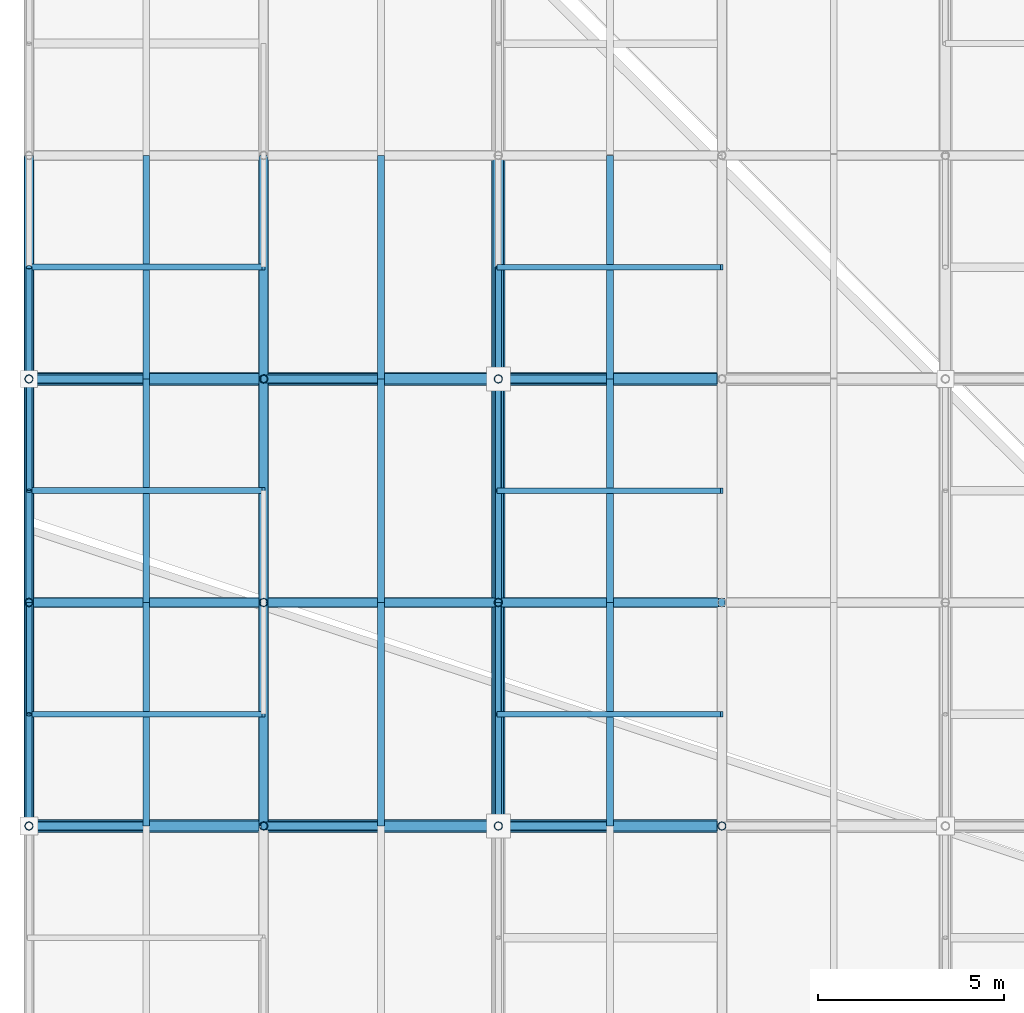
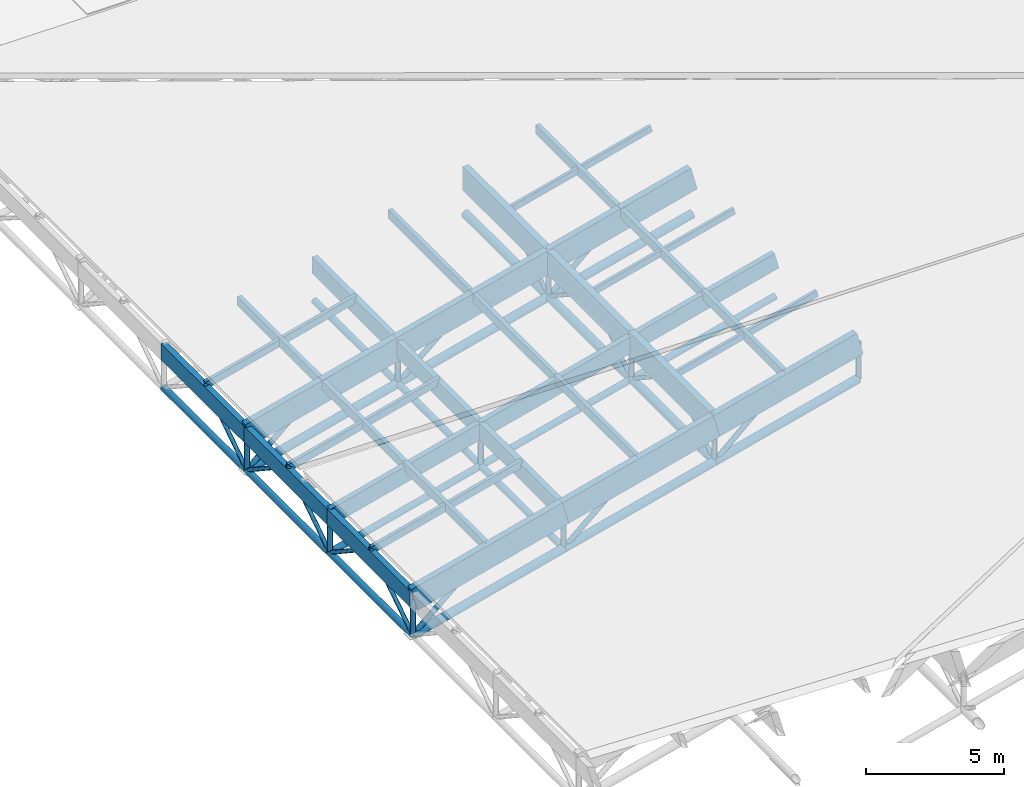
# One storey, part 17 of 80: 77 members.
"""IFC4 building model written with IfcOpenShell, lengths in metres."""

from ifc_helpers import new_model, si_unit, direction, frame, origin, origin_2d, place, context, subcontext, project, spatial, rectangle, hollow_circle, extrude, material, material_profile, profile_set, type_object, element, save


model = new_model("IFC4")

# Units and contexts
model_context = context("Model", 3, precision=1e-05, world=origin(), true_north=direction((0.0, 1.0)))
body_context = subcontext(model_context, "Body", "Model", "MODEL_VIEW")
ifc_project = project(units=[si_unit("LENGTHUNIT", "METRE"), si_unit("AREAUNIT", "SQUARE_METRE"), si_unit("VOLUMEUNIT", "CUBIC_METRE"), si_unit("PLANEANGLEUNIT", "RADIAN"), si_unit("MASSUNIT", "GRAM", prefix="KILO"), si_unit("THERMODYNAMICTEMPERATUREUNIT", "KELVIN"), si_unit("POWERUNIT", "WATT")], contexts=[model_context])

# Site, building, storey
site_placement = place(None, origin())
site = spatial("IfcSite", under=ifc_project, at=site_placement, CompositionType="ELEMENT")
building_placement = place(site_placement, origin())
building = spatial("IfcBuilding", under=site, at=building_placement, Name="Solmara Park Aquatics Centre", CompositionType="ELEMENT")
storey_placement = place(building_placement, frame((0.0, 0.0, 22.800048828125)))
storey = spatial("IfcBuildingStorey", under=building, at=storey_placement, Name="RF", CompositionType="ELEMENT", Elevation=22.800048828125)

# Members
ifc_material_1 = material(Name="Structural Steel S355", Category="steel")
ifc_material_profile_1 = material_profile(ifc_material_1, hollow_circle(Radius=0.084228515625, WallThickness=0.008056640625, at=origin_2d()), Name="CHS 168.3x8")
ifc_profile_set_1 = profile_set([ifc_material_profile_1], Name="Structural Steel S355")
member_type_1 = type_object("IfcMemberType", Name="STR-BRC-CHS168", PredefinedType="BRACE", material=ifc_profile_set_1)
for number, where, z_axis, x_axis, name in (
    (1, (0.0, 48.60009765625, -14.400146484375), (0.0, 0.834611904619, 0.550838423377), (-1.0, 0.0, 0.0), "Roof Truss Web Diagonal Y 2044"),
    (2, (0.0, 54.60009765625, -14.400146484375), (0.0, -0.834611904619, 0.550838423377), (1.0, 0.0, 0.0), "Roof Truss Web Diagonal Y 2045"),
    (3, (12.60009765625, 48.60009765625, -11.141357421875), (0.0, 0.834611904619, 0.550838423377), (-1.0, 0.0, 0.0), "Roof Truss Web Diagonal Y 2046"),
    (4, (12.60009765625, 54.60009765625, -11.141357421875), (0.0, -0.834611904619, 0.550838423377), (1.0, 0.0, 0.0), "Roof Truss Web Diagonal Y 2047"),
    (5, (0.0, 54.60009765625, -14.400146484375), (0.0, 0.834611904619, 0.550838423377), (-1.0, 0.0, 0.0), "Roof Truss Web Diagonal Y 2069"),
    (6, (0.0, 60.60009765625, -14.400146484375), (0.0, -0.834611904619, 0.550838423377), (1.0, 0.0, 0.0), "Roof Truss Web Diagonal Y 2070"),
    (7, (12.60009765625, 54.60009765625, -11.141357421875), (0.0, 0.834611904619, 0.550838423377), (-1.0, 0.0, 0.0), "Roof Truss Web Diagonal Y 2071"),
    (8, (12.60009765625, 60.60009765625, -11.141357421875), (0.0, -0.834611904619, 0.550838423377), (1.0, 0.0, 0.0), "Roof Truss Web Diagonal Y 2072"),
    (9, (0.0, 60.60009765625, -14.400146484375), (0.0, 0.834611904619, 0.550838423377), (-1.0, 0.0, 0.0), "Roof Truss Web Diagonal Y 2094"),
    (10, (12.60009765625, 60.60009765625, -11.141357421875), (0.0, 0.834611904619, 0.550838423377), (-1.0, 0.0, 0.0), "Roof Truss Web Diagonal Y 2096"),
):
    element("IfcMember", number, at=place(storey_placement, frame(where, z_axis=z_axis, x_axis=x_axis)), inside=storey, type_object=member_type_1, Name=name, PredefinedType="BRACE", context=body_context, shape_type="SweptSolid", body=[
        extrude(hollow_circle(Radius=0.084228515625, WallThickness=0.008056640625, at=origin_2d()), origin(), (0.0, 0.0, 1.0), 3.594482421875),
    ])
ifc_material_profile_2 = material_profile(ifc_material_1, hollow_circle(Radius=0.109619140625, WallThickness=0.010009765625, at=origin_2d()), Name="CHS 219.1x10")
ifc_profile_set_2 = profile_set([ifc_material_profile_2], Name="Structural Steel S355")
member_type_2 = type_object("IfcMemberType", Name="STR-BRC-CHS219", PredefinedType="BRACE", material=ifc_profile_set_2)
for number, where, z_axis, x_axis, name in (
    (11, (0.0, 48.60009765625, -14.400146484375), (0.752757378615, 0.0, 0.658298054791), (0.0, 1.0, 0.0), "Roof Truss Web Diagonal X 1366"),
    (12, (0.0, 60.60009765625, -14.400146484375), (0.752757378615, 0.0, 0.658298054791), (0.0, 1.0, 0.0), "Roof Truss Web Diagonal X 1367"),
    (13, (6.300048828125, 48.60009765625, -12.770751953125), (0.752757378615, 0.0, 0.658298054791), (0.0, 1.0, 0.0), "Roof Truss Web Diagonal X 1390"),
    (14, (6.300048828125, 60.60009765625, -12.770751953125), (0.752757378615, 0.0, 0.658298054791), (0.0, 1.0, 0.0), "Roof Truss Web Diagonal X 1391"),
):
    element("IfcMember", number, at=place(storey_placement, frame(where, z_axis=z_axis, x_axis=x_axis)), inside=storey, type_object=member_type_2, Name=name, PredefinedType="BRACE", context=body_context, shape_type="SweptSolid", body=[
        extrude(hollow_circle(Radius=0.109619140625, WallThickness=0.010009765625, at=origin_2d()), origin(), (0.0, 0.0, 1.0), 4.1845703125),
    ])
for number, where, z_axis, x_axis, name in (
    (15, (12.60009765625, 48.60009765625, -11.141357421875), (0.741347083846, 0.0, 0.671121822974), (0.0, 1.0, 0.0), "Roof Truss Web Diagonal X 1415"),
    (16, (12.60009765625, 60.60009765625, -11.141357421875), (0.741347083846, 0.0, 0.671121822974), (0.0, 1.0, 0.0), "Roof Truss Web Diagonal X 1416"),
):
    element("IfcMember", number, at=place(storey_placement, frame(where, z_axis=z_axis, x_axis=x_axis)), inside=storey, type_object=member_type_2, Name=name, PredefinedType="BRACE", context=body_context, shape_type="SweptSolid", body=[
        extrude(hollow_circle(Radius=0.109619140625, WallThickness=0.010009765625, at=origin_2d()), origin(), (0.0, 0.0, 1.0), 4.046630859375),
    ])
ifc_material_profile_3 = material_profile(ifc_material_1, hollow_circle(Radius=0.136474609375, WallThickness=0.012451171875, at=origin_2d()), Name="CHS 273x12.5")
ifc_profile_set_3 = profile_set([ifc_material_profile_3], Name="Structural Steel S355")
member_type_3 = type_object("IfcMemberType", Name="STR-CHD-CHS273", PredefinedType="CHORD", material=ifc_profile_set_3)
for number, where, z_axis, x_axis, name in (
    (17, (0.0, 54.60009765625, -14.400146484375), (0.968144245908, 0.0, 0.25039312913), (0.0, 1.0, 0.0), "Steel Roof Truss Bottom Chord X 0326"),
    (18, (6.300048828125, 54.60009765625, -12.770751953125), (0.968144245908, 0.0, 0.25039312913), (0.0, 1.0, 0.0), "Steel Roof Truss Bottom Chord X 0328"),
):
    element("IfcMember", number, at=place(storey_placement, frame(where, z_axis=z_axis, x_axis=x_axis)), inside=storey, type_object=member_type_3, Name=name, PredefinedType="CHORD", context=body_context, shape_type="SweptSolid", body=[
        extrude(hollow_circle(Radius=0.136474609375, WallThickness=0.012451171875, at=origin_2d()), origin(), (0.0, 0.0, 1.0), 6.50732421875),
    ])
member_1_placement = place(storey_placement, frame((12.60009765625, 54.60009765625, -11.141357421875), z_axis=(0.968155143395, 0.0, 0.250350990246), x_axis=(0.0, 1.0, 0.0)))
element("IfcMember", 19, at=member_1_placement, inside=storey, type_object=member_type_3, Name="Steel Roof Truss Bottom Chord X 0330", PredefinedType="CHORD", context=body_context, shape_type="SweptSolid", body=[
    extrude(hollow_circle(Radius=0.136474609375, WallThickness=0.012451171875, at=origin_2d()), origin(), (0.0, 0.0, 1.0), 6.197265625),
])
for number, where, z_axis, x_axis, name in (
    (20, (0.0, 48.60009765625, -14.400146484375), (0.0, 1.0, 0.0), (-1.0, 0.0, 0.0), "Steel Roof Truss Bottom Chord Y 0558"),
    (21, (0.0, 54.60009765625, -14.400146484375), (0.0, 1.0, 0.0), (-1.0, 0.0, 0.0), "Steel Roof Truss Bottom Chord Y 0560"),
    (22, (0.0, 60.60009765625, -14.400146484375), (0.0, 1.0, 0.0), (-1.0, 0.0, 0.0), "Steel Roof Truss Bottom Chord Y 0562"),
    (23, (6.300048828125, 48.60009765625, -12.770751953125), (0.0, 1.0, 0.0), (-1.0, 0.0, 0.0), "Steel Roof Truss Bottom Chord Y 0586"),
    (24, (6.300048828125, 54.60009765625, -12.770751953125), (0.0, 1.0, 0.0), (-1.0, 0.0, 0.0), "Steel Roof Truss Bottom Chord Y 0588"),
    (25, (6.300048828125, 60.60009765625, -12.770751953125), (0.0, 1.0, 0.0), (-1.0, 0.0, 0.0), "Steel Roof Truss Bottom Chord Y 0590"),
):
    element("IfcMember", number, at=place(storey_placement, frame(where, z_axis=z_axis, x_axis=x_axis)), inside=storey, type_object=member_type_3, Name=name, PredefinedType="CHORD", context=body_context, shape_type="SweptSolid", body=[
        extrude(hollow_circle(Radius=0.136474609375, WallThickness=0.012451171875, at=origin_2d()), origin(), (0.0, 0.0, 1.0), 6.0),
    ])
ifc_material_profile_4 = material_profile(ifc_material_1, hollow_circle(Radius=0.177734375, WallThickness=0.01611328125, at=origin_2d()), Name="CHS 355.6x16")
ifc_profile_set_4 = profile_set([ifc_material_profile_4], Name="Structural Steel S355")
member_type_4 = type_object("IfcMemberType", Name="STR-CHD-CHS355", PredefinedType="CHORD", material=ifc_profile_set_4)
for number, where, z_axis, x_axis, name in (
    (26, (0.0, 48.60009765625, -14.400146484375), (0.968144245908, 0.0, 0.25039312913), (0.0, 1.0, 0.0), "Steel Roof Truss Bottom Chord X 0290"),
    (27, (6.300048828125, 48.60009765625, -12.770751953125), (0.968144245908, 0.0, 0.25039312913), (0.0, 1.0, 0.0), "Steel Roof Truss Bottom Chord X 0292"),
):
    element("IfcMember", number, at=place(storey_placement, frame(where, z_axis=z_axis, x_axis=x_axis)), inside=storey, type_object=member_type_4, Name=name, PredefinedType="CHORD", context=body_context, shape_type="SweptSolid", body=[
        extrude(hollow_circle(Radius=0.177734375, WallThickness=0.01611328125, at=origin_2d()), origin(), (0.0, 0.0, 1.0), 6.50732421875),
    ])
member_2_placement = place(storey_placement, frame((12.60009765625, 48.60009765625, -11.141357421875), z_axis=(0.968155143395, 0.0, 0.250350990246), x_axis=(0.0, 1.0, 0.0)))
element("IfcMember", 28, at=member_2_placement, inside=storey, type_object=member_type_4, Name="Steel Roof Truss Bottom Chord X 0294", PredefinedType="CHORD", context=body_context, shape_type="SweptSolid", body=[
    extrude(hollow_circle(Radius=0.177734375, WallThickness=0.01611328125, at=origin_2d()), origin(), (0.0, 0.0, 1.0), 6.197265625),
])
for number, where, z_axis, x_axis, name in (
    (29, (0.0, 60.60009765625, -14.400146484375), (0.968144245908, 0.0, 0.25039312913), (0.0, 1.0, 0.0), "Steel Roof Truss Bottom Chord X 0362"),
    (30, (6.300048828125, 60.60009765625, -12.770751953125), (0.968144245908, 0.0, 0.25039312913), (0.0, 1.0, 0.0), "Steel Roof Truss Bottom Chord X 0364"),
):
    element("IfcMember", number, at=place(storey_placement, frame(where, z_axis=z_axis, x_axis=x_axis)), inside=storey, type_object=member_type_4, Name=name, PredefinedType="CHORD", context=body_context, shape_type="SweptSolid", body=[
        extrude(hollow_circle(Radius=0.177734375, WallThickness=0.01611328125, at=origin_2d()), origin(), (0.0, 0.0, 1.0), 6.50732421875),
    ])
member_3_placement = place(storey_placement, frame((12.60009765625, 60.60009765625, -11.141357421875), z_axis=(0.968155143395, 0.0, 0.250350990246), x_axis=(0.0, 1.0, 0.0)))
element("IfcMember", 31, at=member_3_placement, inside=storey, type_object=member_type_4, Name="Steel Roof Truss Bottom Chord X 0366", PredefinedType="CHORD", context=body_context, shape_type="SweptSolid", body=[
    extrude(hollow_circle(Radius=0.177734375, WallThickness=0.01611328125, at=origin_2d()), origin(), (0.0, 0.0, 1.0), 6.197265625),
])
for number, where, z_axis, x_axis, name in (
    (32, (12.60009765625, 48.60009765625, -11.141357421875), (0.0, 1.0, 0.0), (-1.0, 0.0, 0.0), "Steel Roof Truss Bottom Chord Y 0614"),
    (33, (12.60009765625, 54.60009765625, -11.141357421875), (0.0, 1.0, 0.0), (-1.0, 0.0, 0.0), "Steel Roof Truss Bottom Chord Y 0616"),
    (34, (12.60009765625, 60.60009765625, -11.141357421875), (0.0, 1.0, 0.0), (-1.0, 0.0, 0.0), "Steel Roof Truss Bottom Chord Y 0618"),
):
    element("IfcMember", number, at=place(storey_placement, frame(where, z_axis=z_axis, x_axis=x_axis)), inside=storey, type_object=member_type_4, Name=name, PredefinedType="CHORD", context=body_context, shape_type="SweptSolid", body=[
        extrude(hollow_circle(Radius=0.177734375, WallThickness=0.01611328125, at=origin_2d()), origin(), (0.0, 0.0, 1.0), 6.0),
    ])
ifc_material_2 = material(Name="Glulam Timber GL28h", Category="wood")
ifc_material_profile_5 = material_profile(ifc_material_2, rectangle(XDim=0.239990234375, YDim=0.719970703125, at=origin_2d()), Name="GL28h 240x720")
ifc_profile_set_5 = profile_set([ifc_material_profile_5], Name="Glulam Timber GL28h")
member_type_5 = type_object("IfcMemberType", Name="STR-CHD-GL240x720", PredefinedType="CHORD", material=ifc_profile_set_5)
for number, where, z_axis, x_axis, name in (
    (35, (0.0, 54.60009765625, -12.780029296875), (0.968144245908, 0.0, 0.25039312913), (0.0, 1.0, 0.0), "Glulam Roof Truss Top Chord X 0325"),
    (36, (6.300048828125, 54.60009765625, -11.150634765625), (0.96815334027, 0.0, 0.250357963171), (0.0, 1.0, 0.0), "Glulam Roof Truss Top Chord X 0327"),
):
    element("IfcMember", number, at=place(storey_placement, frame(where, z_axis=z_axis, x_axis=x_axis)), inside=storey, type_object=member_type_5, Name=name, PredefinedType="CHORD", context=body_context, shape_type="SweptSolid", body=[
        extrude(rectangle(XDim=0.239990234375, YDim=0.719970703125, at=origin_2d()), origin(), (0.0, 0.0, 1.0), 6.50732421875),
    ])
member_4_placement = place(storey_placement, frame((12.60009765625, 54.60009765625, -9.521484375), z_axis=(0.968145594442, 0.0, 0.250387914969), x_axis=(0.0, 1.0, 0.0)))
element("IfcMember", 37, at=member_4_placement, inside=storey, type_object=member_type_5, Name="Glulam Roof Truss Top Chord X 0329", PredefinedType="CHORD", context=body_context, shape_type="SweptSolid", body=[
    extrude(rectangle(XDim=0.239990234375, YDim=0.719970703125, at=origin_2d()), origin(), (0.0, 0.0, 1.0), 6.197509765625),
])
for number, where, z_axis, x_axis, name in (
    (38, (0.0, 48.60009765625, -12.780029296875), (0.0, 1.0, 0.0), (-1.0, 0.0, 0.0), "Glulam Roof Truss Top Chord Y 0557"),
    (39, (0.0, 54.60009765625, -12.780029296875), (0.0, 1.0, 0.0), (-1.0, 0.0, 0.0), "Glulam Roof Truss Top Chord Y 0559"),
    (40, (0.0, 60.60009765625, -12.780029296875), (0.0, 1.0, 0.0), (-1.0, 0.0, 0.0), "Glulam Roof Truss Top Chord Y 0561"),
    (41, (6.300048828125, 48.60009765625, -11.150634765625), (0.0, 1.0, 0.0), (-1.0, 0.0, 0.0), "Glulam Roof Truss Top Chord Y 0585"),
    (42, (6.300048828125, 54.60009765625, -11.150634765625), (0.0, 1.0, 0.0), (-1.0, 0.0, 0.0), "Glulam Roof Truss Top Chord Y 0587"),
    (43, (6.300048828125, 60.60009765625, -11.150634765625), (0.0, 1.0, 0.0), (-1.0, 0.0, 0.0), "Glulam Roof Truss Top Chord Y 0589"),
):
    element("IfcMember", number, at=place(storey_placement, frame(where, z_axis=z_axis, x_axis=x_axis)), inside=storey, type_object=member_type_5, Name=name, PredefinedType="CHORD", context=body_context, shape_type="SweptSolid", body=[
        extrude(rectangle(XDim=0.239990234375, YDim=0.719970703125, at=origin_2d()), origin(), (0.0, 0.0, 1.0), 6.0),
    ])
ifc_material_profile_6 = material_profile(ifc_material_2, rectangle(XDim=0.280029296875, YDim=1.0400390625, at=origin_2d()), Name="GL28h 280x1040")
ifc_profile_set_6 = profile_set([ifc_material_profile_6], Name="Glulam Timber GL28h")
member_type_6 = type_object("IfcMemberType", Name="STR-CHD-GL280x1040", PredefinedType="CHORD", material=ifc_profile_set_6)
for number, where, z_axis, x_axis, name in (
    (44, (0.0, 48.60009765625, -12.780029296875), (0.968144245908, 0.0, 0.25039312913), (0.0, 1.0, 0.0), "Glulam Roof Truss Top Chord X 0289"),
    (45, (6.300048828125, 48.60009765625, -11.150634765625), (0.96815334027, 0.0, 0.250357963171), (0.0, 1.0, 0.0), "Glulam Roof Truss Top Chord X 0291"),
):
    element("IfcMember", number, at=place(storey_placement, frame(where, z_axis=z_axis, x_axis=x_axis)), inside=storey, type_object=member_type_6, Name=name, PredefinedType="CHORD", context=body_context, shape_type="SweptSolid", body=[
        extrude(rectangle(XDim=0.280029296875, YDim=1.0400390625, at=origin_2d()), origin(), (0.0, 0.0, 1.0), 6.50732421875),
    ])
member_5_placement = place(storey_placement, frame((12.60009765625, 48.60009765625, -9.521484375), z_axis=(0.968145594442, 0.0, 0.250387914969), x_axis=(0.0, 1.0, 0.0)))
element("IfcMember", 46, at=member_5_placement, inside=storey, type_object=member_type_6, Name="Glulam Roof Truss Top Chord X 0293", PredefinedType="CHORD", context=body_context, shape_type="SweptSolid", body=[
    extrude(rectangle(XDim=0.280029296875, YDim=1.0400390625, at=origin_2d()), origin(), (0.0, 0.0, 1.0), 6.197509765625),
])
for number, where, z_axis, x_axis, name in (
    (47, (0.0, 60.60009765625, -12.780029296875), (0.968144245908, 0.0, 0.25039312913), (0.0, 1.0, 0.0), "Glulam Roof Truss Top Chord X 0361"),
    (48, (6.300048828125, 60.60009765625, -11.150634765625), (0.96815334027, 0.0, 0.250357963171), (0.0, 1.0, 0.0), "Glulam Roof Truss Top Chord X 0363"),
):
    element("IfcMember", number, at=place(storey_placement, frame(where, z_axis=z_axis, x_axis=x_axis)), inside=storey, type_object=member_type_6, Name=name, PredefinedType="CHORD", context=body_context, shape_type="SweptSolid", body=[
        extrude(rectangle(XDim=0.280029296875, YDim=1.0400390625, at=origin_2d()), origin(), (0.0, 0.0, 1.0), 6.50732421875),
    ])
member_6_placement = place(storey_placement, frame((12.60009765625, 60.60009765625, -9.521484375), z_axis=(0.968145594442, 0.0, 0.250387914969), x_axis=(0.0, 1.0, 0.0)))
element("IfcMember", 49, at=member_6_placement, inside=storey, type_object=member_type_6, Name="Glulam Roof Truss Top Chord X 0365", PredefinedType="CHORD", context=body_context, shape_type="SweptSolid", body=[
    extrude(rectangle(XDim=0.280029296875, YDim=1.0400390625, at=origin_2d()), origin(), (0.0, 0.0, 1.0), 6.197509765625),
])
for number, where, z_axis, x_axis, name in (
    (50, (12.60009765625, 48.60009765625, -9.521484375), (0.0, 1.0, 0.0), (-1.0, 0.0, 0.0), "Glulam Roof Truss Top Chord Y 0613"),
    (51, (12.60009765625, 54.60009765625, -9.521484375), (0.0, 1.0, 0.0), (-1.0, 0.0, 0.0), "Glulam Roof Truss Top Chord Y 0615"),
    (52, (12.60009765625, 60.60009765625, -9.521484375), (0.0, 1.0, 0.0), (-1.0, 0.0, 0.0), "Glulam Roof Truss Top Chord Y 0617"),
):
    element("IfcMember", number, at=place(storey_placement, frame(where, z_axis=z_axis, x_axis=x_axis)), inside=storey, type_object=member_type_6, Name=name, PredefinedType="CHORD", context=body_context, shape_type="SweptSolid", body=[
        extrude(rectangle(XDim=0.280029296875, YDim=1.0400390625, at=origin_2d()), origin(), (0.0, 0.0, 1.0), 6.0),
    ])
ifc_material_profile_7 = material_profile(ifc_material_2, rectangle(XDim=0.139892578125, YDim=0.280029296875, at=origin_2d()), Name="GL28h 140x280")
ifc_profile_set_7 = profile_set([ifc_material_profile_7], Name="Glulam Timber GL28h")
member_type_7 = type_object("IfcMemberType", Name="STR-PRL-GL140x280", PredefinedType="PURLIN", material=ifc_profile_set_7)
for number, where, z_axis, x_axis, name in (
    (53, (12.60009765625, 51.60009765625, -9.181396484375), (0.968145594442, 0.0, 0.250387914969), (0.0, 1.0, 0.0), "Glulam Secondary Roof Purlin 2036"),
    (54, (12.60009765625, 57.60009765625, -9.181396484375), (0.968145594442, 0.0, 0.250387914969), (0.0, 1.0, 0.0), "Glulam Secondary Roof Purlin 2061"),
    (55, (12.60009765625, 63.60009765625, -9.181396484375), (0.968145594442, 0.0, 0.250387914969), (0.0, 1.0, 0.0), "Glulam Secondary Roof Purlin 2086"),
):
    element("IfcMember", number, at=place(storey_placement, frame(where, z_axis=z_axis, x_axis=x_axis)), inside=storey, type_object=member_type_7, Name=name, PredefinedType="PURLIN", context=body_context, shape_type="SweptSolid", body=[
        extrude(rectangle(XDim=0.139892578125, YDim=0.280029296875, at=origin_2d()), origin(), (0.0, 0.0, 1.0), 6.197509765625),
    ])
ifc_material_profile_8 = material_profile(ifc_material_2, rectangle(XDim=0.159912109375, YDim=0.320068359375, at=origin_2d()), Name="GL28h 160x320")
ifc_profile_set_8 = profile_set([ifc_material_profile_8], Name="Glulam Timber GL28h")
member_type_8 = type_object("IfcMemberType", Name="STR-PRL-GL160x320", PredefinedType="PURLIN", material=ifc_profile_set_8)
for number, where, z_axis, x_axis, name in (
    (56, (0.0, 51.60009765625, -12.43994140625), (0.96815334027, 0.0, 0.250357963171), (0.0, 1.0, 0.0), "Glulam Secondary Roof Purlin 2035"),
    (57, (0.0, 57.60009765625, -12.43994140625), (0.96815334027, 0.0, 0.250357963171), (0.0, 1.0, 0.0), "Glulam Secondary Roof Purlin 2060"),
    (58, (0.0, 63.60009765625, -12.43994140625), (0.96815334027, 0.0, 0.250357963171), (0.0, 1.0, 0.0), "Glulam Secondary Roof Purlin 2085"),
):
    element("IfcMember", number, at=place(storey_placement, frame(where, z_axis=z_axis, x_axis=x_axis)), inside=storey, type_object=member_type_8, Name=name, PredefinedType="PURLIN", context=body_context, shape_type="SweptSolid", body=[
        extrude(rectangle(XDim=0.159912109375, YDim=0.320068359375, at=origin_2d()), origin(), (0.0, 0.0, 1.0), 6.50732421875),
    ])
ifc_material_profile_9 = material_profile(ifc_material_2, rectangle(XDim=0.179931640625, YDim=0.39990234375, at=origin_2d()), Name="GL28h 180x400")
ifc_profile_set_9 = profile_set([ifc_material_profile_9], Name="Glulam Timber GL28h")
member_type_9 = type_object("IfcMemberType", Name="STR-PRL-GL180x400", PredefinedType="PURLIN", material=ifc_profile_set_9)
for number, where, z_axis, x_axis, name in (
    (59, (3.14990234375, 48.60009765625, -11.6455078125), (0.0, 1.0, 0.0), (-1.0, 0.0, 0.0), "Glulam Roof Purlin 1355"),
    (60, (3.14990234375, 54.60009765625, -11.6455078125), (0.0, 1.0, 0.0), (-1.0, 0.0, 0.0), "Glulam Roof Purlin 1356"),
    (61, (3.14990234375, 60.60009765625, -11.6455078125), (0.0, 1.0, 0.0), (-1.0, 0.0, 0.0), "Glulam Roof Purlin 1357"),
    (62, (9.449951171875, 48.60009765625, -10.01611328125), (0.0, 1.0, 0.0), (-1.0, 0.0, 0.0), "Glulam Roof Purlin 1379"),
    (63, (9.449951171875, 54.60009765625, -10.01611328125), (0.0, 1.0, 0.0), (-1.0, 0.0, 0.0), "Glulam Roof Purlin 1380"),
    (64, (9.449951171875, 60.60009765625, -10.01611328125), (0.0, 1.0, 0.0), (-1.0, 0.0, 0.0), "Glulam Roof Purlin 1381"),
    (65, (15.60009765625, 48.60009765625, -8.425537109375), (0.0, 1.0, 0.0), (-1.0, 0.0, 0.0), "Glulam Roof Purlin 1403"),
    (66, (15.60009765625, 54.60009765625, -8.425537109375), (0.0, 1.0, 0.0), (-1.0, 0.0, 0.0), "Glulam Roof Purlin 1404"),
    (67, (15.60009765625, 60.60009765625, -8.425537109375), (0.0, 1.0, 0.0), (-1.0, 0.0, 0.0), "Glulam Roof Purlin 1405"),
):
    element("IfcMember", number, at=place(storey_placement, frame(where, z_axis=z_axis, x_axis=x_axis)), inside=storey, type_object=member_type_9, Name=name, PredefinedType="PURLIN", context=body_context, shape_type="SweptSolid", body=[
        extrude(rectangle(XDim=0.179931640625, YDim=0.39990234375, at=origin_2d()), origin(), (0.0, 0.0, 1.0), 6.0),
    ])
ifc_material_profile_10 = material_profile(ifc_material_1, hollow_circle(Radius=0.109619140625, WallThickness=0.010009765625, at=origin_2d()), Name="CHS 219.1x10")
ifc_profile_set_10 = profile_set([ifc_material_profile_10], Name="Structural Steel S355")
member_type_10 = type_object("IfcMemberType", Name="STR-PST-CHS219", PredefinedType="POST", material=ifc_profile_set_10)
for number, where, z_axis, x_axis, name in (
    (68, (0.0, 48.60009765625, -14.400146484375), (0.0, 0.0, 1.0), (1.0, 0.0, 0.0), "Roof Truss Web Post 1081"),
    (69, (0.0, 54.60009765625, -14.400146484375), (0.0, 0.0, 1.0), (1.0, 0.0, 0.0), "Roof Truss Web Post 1082"),
    (70, (0.0, 60.60009765625, -14.400146484375), (0.0, 0.0, 1.0), (1.0, 0.0, 0.0), "Roof Truss Web Post 1083"),
    (71, (6.300048828125, 48.60009765625, -12.770751953125), (0.0, 0.0, 1.0), (1.0, 0.0, 0.0), "Roof Truss Web Post 1095"),
    (72, (6.300048828125, 54.60009765625, -12.770751953125), (0.0, 0.0, 1.0), (1.0, 0.0, 0.0), "Roof Truss Web Post 1096"),
    (73, (6.300048828125, 60.60009765625, -12.770751953125), (0.0, 0.0, 1.0), (1.0, 0.0, 0.0), "Roof Truss Web Post 1097"),
):
    element("IfcMember", number, at=place(storey_placement, frame(where, z_axis=z_axis, x_axis=x_axis)), inside=storey, type_object=member_type_10, Name=name, PredefinedType="POST", context=body_context, shape_type="SweptSolid", body=[
        extrude(hollow_circle(Radius=0.109619140625, WallThickness=0.010009765625, at=origin_2d()), origin(), (0.0, 0.0, 1.0), 1.6201171875),
    ])
for number, where, z_axis, x_axis, name in (
    (74, (12.60009765625, 48.60009765625, -11.141357421875), (0.0, 0.0, 1.0), (1.0, 0.0, 0.0), "Roof Truss Web Post 1108"),
    (75, (12.60009765625, 54.60009765625, -11.141357421875), (0.0, 0.0, 1.0), (1.0, 0.0, 0.0), "Roof Truss Web Post 1109"),
    (76, (12.60009765625, 60.60009765625, -11.141357421875), (0.0, 0.0, 1.0), (1.0, 0.0, 0.0), "Roof Truss Web Post 1110"),
):
    element("IfcMember", number, at=place(storey_placement, frame(where, z_axis=z_axis, x_axis=x_axis)), inside=storey, type_object=member_type_10, Name=name, PredefinedType="POST", context=body_context, shape_type="SweptSolid", body=[
        extrude(hollow_circle(Radius=0.109619140625, WallThickness=0.010009765625, at=origin_2d()), origin(), (0.0, 0.0, 1.0), 1.619873046875),
    ])
member_7_placement = place(storey_placement, frame((18.60009765625, 48.60009765625, -9.58984375), z_axis=(0.0, 0.0, 1.0), x_axis=(1.0, 0.0, 0.0)))
element("IfcMember", 77, at=member_7_placement, inside=storey, type_object=member_type_10, Name="Roof Truss Web Post 1122", PredefinedType="POST", context=body_context, shape_type="SweptSolid", body=[
    extrude(hollow_circle(Radius=0.109619140625, WallThickness=0.010009765625, at=origin_2d()), origin(), (0.0, 0.0, 1.0), 1.6201171875),
])

save(model, "model.ifc")
